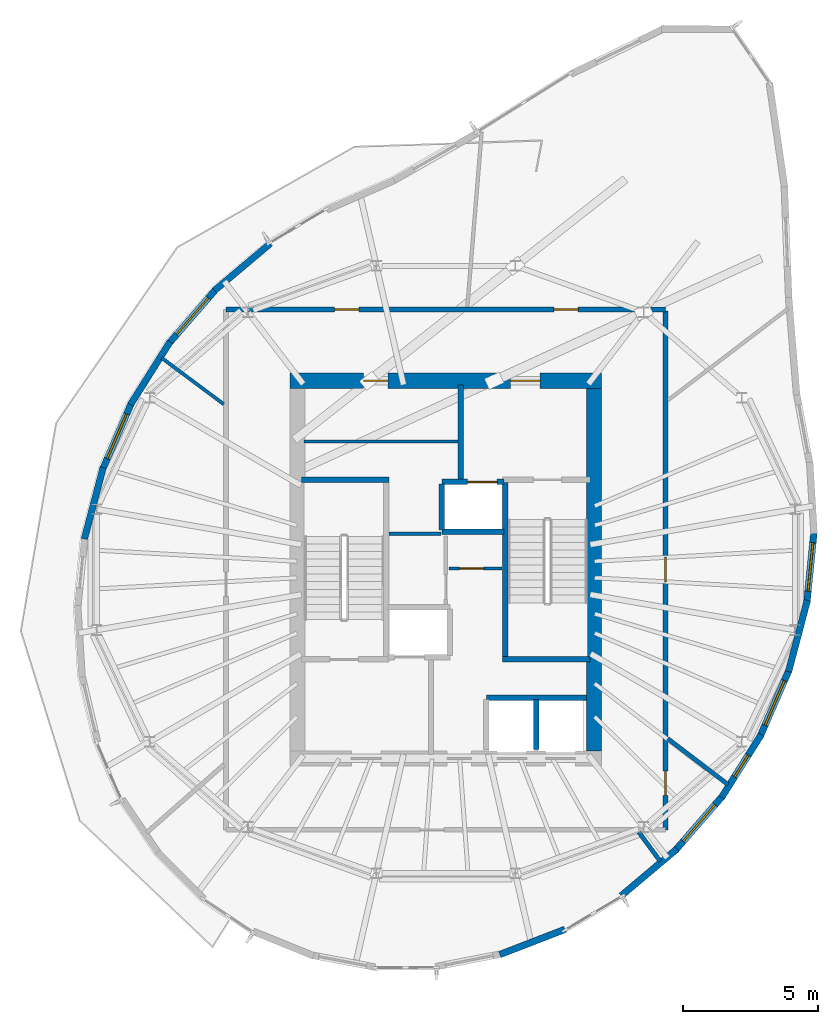
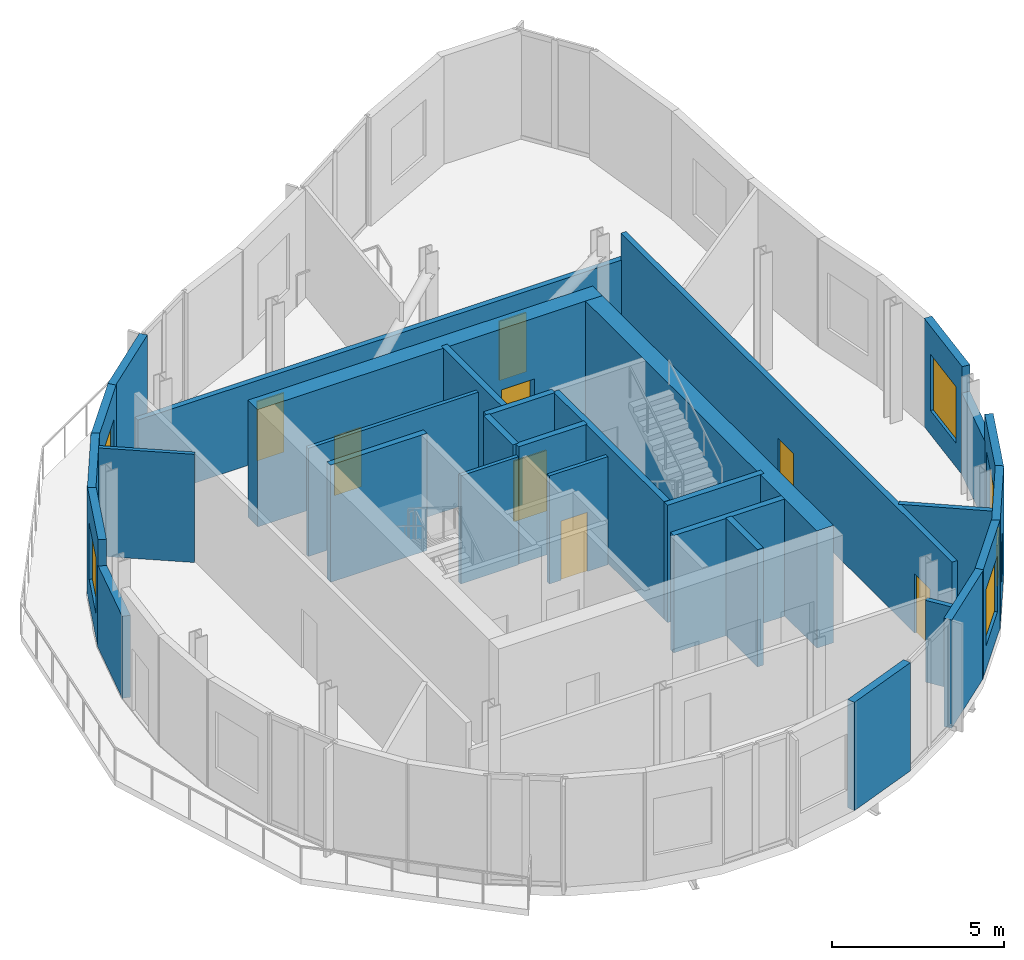
# One storey, part 5 of 8: 31 walls, 8 doors, 6 windows, 14 openings.
"""IFC4 building model written with IfcOpenShell, lengths in metres."""

from ifc_helpers import new_model, si_unit, direction, frame, frame_2d, origin, place, context, subcontext, project, spatial, rectangle, extrude, material, layer, layer_set, type_object, element, fill, save


model = new_model("IFC4")

# Units and contexts
model_context = context("Model", 3, precision=1e-05, world=origin(), true_north=direction((0.0, 1.0)))
body_context = subcontext(model_context, "Body", "Model", "MODEL_VIEW")
ifc_project = project(units=[si_unit("LENGTHUNIT", "METRE"), si_unit("AREAUNIT", "SQUARE_METRE"), si_unit("VOLUMEUNIT", "CUBIC_METRE"), si_unit("PLANEANGLEUNIT", "RADIAN"), si_unit("MASSUNIT", "GRAM", prefix="KILO")], contexts=[model_context])

# Site, building, storey
site_placement = place(None, origin())
site = spatial("IfcSite", under=ifc_project, at=site_placement, CompositionType="ELEMENT")
building_placement = place(site_placement, origin())
building = spatial("IfcBuilding", under=site, at=building_placement, Name="Veldorim Arch Residences", CompositionType="ELEMENT")
storey_placement = place(building_placement, frame((0.0, 0.0, 246.8798828125)))
storey = spatial("IfcBuildingStorey", under=building, at=storey_placement, Name="L74", CompositionType="ELEMENT", Elevation=246.8798828125)

# Wall
ifc_material_1 = material(Name="Acoustic Gypsum Board", Category="gypsum")
ifc_layer_1 = layer(ifc_material_1, 0.125, Name="Acoustic Stud Room Partition Wall 125")
ifc_layer_set_1 = layer_set([ifc_layer_1], Name="Acoustic Gypsum Board")
wall_type_1 = type_object("IfcWallType", Name="Acoustic Stud Room Partition Wall 125", PredefinedType="PARTITIONING", material=ifc_layer_set_1)
wall_1_placement = place(storey_placement, frame((26.75, 28.75, 0.0), z_axis=(0.0, 0.0, 1.0), x_axis=(1.0, 0.0, 0.0)))
element("IfcWall", 1, at=wall_1_placement, inside=storey, type_object=wall_type_1, Name="L74 interior wall WL-RB3-L74-S", PredefinedType="PARTITIONING", context=body_context, shape_type="SweptSolid", body=[
    extrude(rectangle(XDim=5.75, YDim=0.125, at=frame_2d((2.875, 0.0))), origin(), (0.0, 0.0, 1.0), 3.835205078125),
])

# Wall, opening, door
wall_2_placement = place(storey_placement, frame((32.110107421875, 24.0400390625, 0.0), z_axis=(0.0, 0.0, 1.0), x_axis=(1.0, 0.0, 0.0)))
wall_2 = element("IfcWall", 2, at=wall_2_placement, inside=storey, type_object=wall_type_1, Name="L74 interior wall WL-CA-L74-3", PredefinedType="PARTITIONING", context=body_context, shape_type="SweptSolid", body=[
    extrude(rectangle(XDim=1.969970703125, YDim=0.125, at=frame_2d((0.98486328125, 0.0))), origin(), (0.0, 0.0, 1.0), 3.835205078125),
])
opening_1_placement = place(wall_2_placement, frame((0.389892578125, 0.0, 0.0)))
opening_1 = element("IfcOpeningElement", 3, at=opening_1_placement, cuts=wall_2, Name="Opening DR-INT", PredefinedType="OPENING", context=body_context, shape_type="SweptSolid", body=[
    extrude(rectangle(XDim=0.89990234375, YDim=2.10009765625, at=frame_2d((0.449951171875, 1.050048828125))), frame((0.0, 0.072509765625, 0.0), z_axis=(0.0, -1.0, 0.0), x_axis=(1.0, 0.0, 0.0)), (0.0, 0.0, 1.0), 0.14501953125),
])
ifc_material_2 = material(Name="Engineered Timber", Category="wood")
door_type_1 = type_object("IfcDoorType", Name="Apartment Internal Room Timber Door 900x2100", OperationType="SINGLE_SWING_LEFT", PredefinedType="DOOR", material=ifc_material_2)
door_1_placement = place(opening_1_placement, origin())
door_1 = element("IfcDoor", 4, at=door_1_placement, inside=storey, type_object=door_type_1, Name="L74 interior door DR-L74-CA1", OperationType="SINGLE_SWING_LEFT", OverallHeight=2.10009765625, OverallWidth=0.89990234375, PredefinedType="DOOR", context=body_context, shape_type="SweptSolid", body=[
    extrude(rectangle(XDim=0.89990234375, YDim=2.10009765625, at=frame_2d((0.449951171875, 1.050048828125))), frame((0.0, 0.02490234375, 0.0), z_axis=(0.0, -1.0, 0.0), x_axis=(1.0, 0.0, 0.0)), (0.0, 0.0, 1.0), 0.050048828125),
])
fill(opening_1, door_1)

# Walls
wall_3_placement = place(storey_placement, frame((29.889892578125, 25.330078125, 0.0), z_axis=(0.0, 0.0, 1.0), x_axis=(1.0, 0.0, 0.0)))
element("IfcWall", 5, at=wall_3_placement, inside=storey, type_object=wall_type_1, Name="L74 interior wall WL-CA-L74-N", PredefinedType="PARTITIONING", context=body_context, shape_type="SweptSolid", body=[
    extrude(rectangle(XDim=1.940185546875, YDim=0.125, at=frame_2d((0.97021484375, 0.0))), origin(), (0.0, 0.0, 1.0), 3.835205078125),
])
wall_4_placement = place(storey_placement, frame((23.769775390625, 30.130126953125, 0.0), z_axis=(0.0, 0.0, 1.0), x_axis=(-0.801989535219, 0.597338082997, 0.0)))
element("IfcWall", 6, at=wall_4_placement, inside=storey, type_object=wall_type_1, Name="L74 interior wall WL-SKY-L74-007", PredefinedType="PARTITIONING", context=body_context, shape_type="SweptSolid", body=[
    extrude(rectangle(XDim=2.8798828125, YDim=0.125, at=frame_2d((1.43994140625, 0.0))), origin(), (0.0, 0.0, 1.0), 3.835205078125),
])

# Wall, openings, doors
ifc_material_3 = material(Name="Lightweight Masonry Block & Gypsum", Category="masonry")
ifc_layer_2 = layer(ifc_material_3, 0.179931640625, Name="Compartment & Corridor Fire-Rated Party Wall 180")
ifc_layer_set_2 = layer_set([ifc_layer_2], Name="Lightweight Masonry Block & Gypsum")
wall_type_2 = type_object("IfcWallType", Name="Compartment & Corridor Fire-Rated Party Wall 180", PredefinedType="PARTITIONING", material=ifc_layer_set_2)
wall_5_placement = place(storey_placement, frame((23.85009765625, 33.64990234375, 0.0), z_axis=(0.0, 0.0, 1.0), x_axis=(1.0, 0.0, 0.0)))
wall_5 = element("IfcWall", 7, at=wall_5_placement, inside=storey, type_object=wall_type_2, Name="L74 interior wall WL-SKY-L74-001", PredefinedType="PARTITIONING", context=body_context, shape_type="SweptSolid", body=[
    extrude(rectangle(XDim=16.2998046875, YDim=0.179931640625, at=frame_2d((8.14990234375, 0.0))), origin(), (0.0, 0.0, 1.0), 2.899658203125),
])
opening_2_placement = place(wall_5_placement, frame((12.159912109375, 0.0, 0.0)))
opening_2 = element("IfcOpeningElement", 8, at=opening_2_placement, cuts=wall_5, Name="Opening DR-INT", PredefinedType="OPENING", context=body_context, shape_type="SweptSolid", body=[
    extrude(rectangle(XDim=0.89990234375, YDim=2.10009765625, at=frame_2d((0.449951171875, 1.050048828125))), frame((0.0, 0.099853515625, 0.0), z_axis=(0.0, -1.0, 0.0), x_axis=(1.0, 0.0, 0.0)), (0.0, 0.0, 1.0), 0.199951171875),
])
opening_3_placement = place(wall_5_placement, frame((4.030029296875, 0.0, 0.0)))
opening_3 = element("IfcOpeningElement", 9, at=opening_3_placement, cuts=wall_5, Name="Opening DR-INT", PredefinedType="OPENING", context=body_context, shape_type="SweptSolid", body=[
    extrude(rectangle(XDim=0.89990234375, YDim=2.10009765625, at=frame_2d((0.449951171875, 1.050048828125))), frame((0.0, 0.099853515625, 0.0), z_axis=(0.0, -1.0, 0.0), x_axis=(1.0, 0.0, 0.0)), (0.0, 0.0, 1.0), 0.199951171875),
])
door_2_placement = place(opening_2_placement, origin())
door_2 = element("IfcDoor", 10, at=door_2_placement, inside=storey, type_object=door_type_1, Name="L74 interior door DR-SKY-L74-001", OperationType="SINGLE_SWING_LEFT", OverallHeight=2.10009765625, OverallWidth=0.89990234375, PredefinedType="DOOR", context=body_context, shape_type="SweptSolid", body=[
    extrude(rectangle(XDim=0.89990234375, YDim=2.10009765625, at=frame_2d((0.449951171875, 1.050048828125))), frame((0.0, 0.02490234375, 0.0), z_axis=(0.0, -1.0, 0.0), x_axis=(1.0, 0.0, 0.0)), (0.0, 0.0, 1.0), 0.050048828125),
])
fill(opening_2, door_2)
door_3_placement = place(opening_3_placement, origin())
door_3 = element("IfcDoor", 11, at=door_3_placement, inside=storey, type_object=door_type_1, Name="L74 interior door DR-SKY-L74-002", OperationType="SINGLE_SWING_RIGHT", OverallHeight=2.10009765625, OverallWidth=0.89990234375, PredefinedType="DOOR", context=body_context, shape_type="SweptSolid", body=[
    extrude(rectangle(XDim=0.89990234375, YDim=2.10009765625, at=frame_2d((0.449951171875, 1.050048828125))), frame((0.0, 0.02490234375, 0.0), z_axis=(0.0, -1.0, 0.0), x_axis=(1.0, 0.0, 0.0)), (0.0, 0.0, 1.0), 0.050048828125),
])
fill(opening_3, door_3)

wall_6_placement = place(storey_placement, frame((40.14990234375, 33.590087890625, 0.0), z_axis=(0.0, 0.0, 1.0), x_axis=(0.0, -1.0, 0.0)))
wall_6 = element("IfcWall", 12, at=wall_6_placement, inside=storey, type_object=wall_type_2, Name="L74 interior wall WL-SKY-L74-002", PredefinedType="PARTITIONING", context=body_context, shape_type="SweptSolid", body=[
    extrude(rectangle(XDim=19.239990234375, YDim=0.179931640625, at=frame_2d((9.6201171875, 0.0))), origin(), (0.0, 0.0, 1.0), 3.835205078125),
])
opening_4_placement = place(wall_6_placement, frame((9.1376953125, 0.0, 0.0)))
opening_4 = element("IfcOpeningElement", 13, at=opening_4_placement, cuts=wall_6, Name="Opening DR-INT", PredefinedType="OPENING", context=body_context, shape_type="SweptSolid", body=[
    extrude(rectangle(XDim=0.89990234375, YDim=2.10009765625, at=frame_2d((0.449951171875, 1.050048828125))), frame((0.0, 0.099853515625, 0.0), z_axis=(0.0, -1.0, 0.0), x_axis=(1.0, 0.0, 0.0)), (0.0, 0.0, 1.0), 0.199951171875),
])
opening_5_placement = place(wall_6_placement, frame((17.059326171875, 0.0, 0.0)))
opening_5 = element("IfcOpeningElement", 14, at=opening_5_placement, cuts=wall_6, Name="Opening DR-WC", PredefinedType="OPENING", context=body_context, shape_type="SweptSolid", body=[
    extrude(rectangle(XDim=0.89990234375, YDim=2.10009765625, at=frame_2d((0.449951171875, 1.050048828125))), frame((0.0, 0.099853515625, 0.0), z_axis=(0.0, -1.0, 0.0), x_axis=(1.0, 0.0, 0.0)), (0.0, 0.0, 1.0), 0.199951171875),
])
door_4_placement = place(opening_4_placement, origin())
door_4 = element("IfcDoor", 15, at=door_4_placement, inside=storey, type_object=door_type_1, Name="L74 interior door DR-SKY-L74-005", OperationType="SINGLE_SWING_LEFT", OverallHeight=2.10009765625, OverallWidth=0.89990234375, PredefinedType="DOOR", context=body_context, shape_type="SweptSolid", body=[
    extrude(rectangle(XDim=0.89990234375, YDim=2.10009765625, at=frame_2d((0.449951171875, 1.050048828125))), frame((0.0, 0.02490234375, 0.0), z_axis=(0.0, -1.0, 0.0), x_axis=(1.0, 0.0, 0.0)), (0.0, 0.0, 1.0), 0.050048828125),
])
fill(opening_4, door_4)
ifc_material_4 = material(Name="Laminate Timber", Category="wood")
door_type_2 = type_object("IfcDoorType", Name="Bathroom & Accessible WC Moisture-Sealed Door 900x2100", OperationType="SINGLE_SWING_LEFT", PredefinedType="DOOR", material=ifc_material_4)
door_5_placement = place(opening_5_placement, origin())
door_5 = element("IfcDoor", 16, at=door_5_placement, inside=storey, type_object=door_type_2, Name="L74 interior door DR-SKY-L74-006", OperationType="SINGLE_SWING_RIGHT", OverallHeight=2.10009765625, OverallWidth=0.89990234375, PredefinedType="DOOR", context=body_context, shape_type="SweptSolid", body=[
    extrude(rectangle(XDim=0.89990234375, YDim=2.10009765625, at=frame_2d((0.449951171875, 1.050048828125))), frame((0.0, 0.02490234375, 0.0), z_axis=(0.0, -1.0, 0.0), x_axis=(1.0, 0.0, 0.0)), (0.0, 0.0, 1.0), 0.050048828125),
])
fill(opening_5, door_5)

# Walls
ifc_material_5 = material(Name="Concrete C50/60", Category="concrete")
ifc_layer_3 = layer(ifc_material_5, 0.199951171875, Name="Core Stair & Lift Shaft Enclosure Wall 200")
ifc_layer_set_3 = layer_set([ifc_layer_3], Name="Concrete C50/60")
wall_type_3 = type_object("IfcWallType", Name="Core Stair & Lift Shaft Enclosure Wall 200", PredefinedType="SHEAR", material=ifc_layer_set_3)
wall_7_placement = place(storey_placement, frame((26.64990234375, 27.330078125, 0.0), z_axis=(0.0, 0.0, 1.0), x_axis=(1.0, 0.0, 0.0)))
element("IfcWall", 17, at=wall_7_placement, inside=storey, type_object=wall_type_3, Name="L74 shaft wall WL-SHF-L74-ST1-N", PredefinedType="SHEAR", context=body_context, shape_type="SweptSolid", body=[
    extrude(rectangle(XDim=3.239990234375, YDim=0.199951171875, at=frame_2d((1.6201171875, 0.0))), origin(), (0.0, 0.0, 1.0), 4.16015625),
])
wall_8_placement = place(storey_placement, frame((34.2099609375, 20.780029296875, 0.0), z_axis=(0.0, 0.0, 1.0), x_axis=(0.0, 1.0, 0.0)))
element("IfcWall", 18, at=wall_8_placement, inside=storey, type_object=wall_type_3, Name="L74 shaft wall WL-SHF-L74-ST2-W", PredefinedType="SHEAR", context=body_context, shape_type="SweptSolid", body=[
    extrude(rectangle(XDim=6.43994140625, YDim=0.199951171875, at=frame_2d((3.219970703125, 0.0))), origin(), (0.0, 0.0, 1.0), 4.16015625),
])
wall_9_placement = place(storey_placement, frame((34.110107421875, 20.669921875, 0.0), z_axis=(0.0, 0.0, 1.0), x_axis=(1.0, 0.0, 0.0)))
element("IfcWall", 19, at=wall_9_placement, inside=storey, type_object=wall_type_3, Name="L74 shaft wall WL-SHF-L74-ST2-S", PredefinedType="SHEAR", context=body_context, shape_type="SweptSolid", body=[
    extrude(rectangle(XDim=3.239990234375, YDim=0.199951171875, at=frame_2d((1.6201171875, 0.0))), origin(), (0.0, 0.0, 1.0), 4.16015625),
])
wall_10_placement = place(storey_placement, frame((32.550048828125, 27.35009765625, 0.0), z_axis=(0.0, 0.0, 1.0), x_axis=(0.0, 1.0, 0.0)))
element("IfcWall", 20, at=wall_10_placement, inside=storey, type_object=wall_type_3, Name="L74 shaft wall WL-FFL2-L74-W", PredefinedType="SHEAR", context=body_context, shape_type="SweptSolid", body=[
    extrude(rectangle(XDim=3.5, YDim=0.199951171875, at=frame_2d((1.75, 0.0))), origin(), (0.0, 0.0, 1.0), 4.16015625),
])

# Wall, opening, door
wall_11_placement = place(storey_placement, frame((31.85009765625, 27.25, 0.0), z_axis=(0.0, 0.0, 1.0), x_axis=(1.0, 0.0, 0.0)))
wall_11 = element("IfcWall", 21, at=wall_11_placement, inside=storey, type_object=wall_type_3, Name="L74 shaft wall WL-FL02-L74-N", PredefinedType="SHEAR", context=body_context, shape_type="SweptSolid", body=[
    extrude(rectangle(XDim=2.2998046875, YDim=0.199951171875, at=frame_2d((1.14990234375, 0.0))), origin(), (0.0, 0.0, 1.0), 4.16015625),
])
opening_6_placement = place(wall_11_placement, frame((0.949951171875, 0.0, 0.0)))
opening_6 = element("IfcOpeningElement", 22, at=opening_6_placement, cuts=wall_11, Name="Opening LD-FF", PredefinedType="OPENING", context=body_context, shape_type="SweptSolid", body=[
    extrude(rectangle(XDim=1.10009765625, YDim=2.14990234375, at=frame_2d((0.550048828125, 1.074951171875))), frame((0.0, 0.10986328125, 0.0), z_axis=(0.0, -1.0, 0.0), x_axis=(1.0, 0.0, 0.0)), (0.0, 0.0, 1.0), 0.219970703125),
])
ifc_material_6 = material(Name="Stainless Steel", Category="steel")
door_type_3 = type_object("IfcDoorType", Name="Firefighting Lift Bi-Parting Sliding Landing Door 1100x2150", OperationType="DOUBLE_DOOR_SLIDING", PredefinedType="DOOR", material=ifc_material_6)
door_6_placement = place(opening_6_placement, origin())
door_6 = element("IfcDoor", 23, at=door_6_placement, inside=storey, type_object=door_type_3, Name="L74 lift landing door LD-L74-FL02", OperationType="DOUBLE_DOOR_SLIDING", OverallHeight=2.14990234375, OverallWidth=1.10009765625, PredefinedType="DOOR", context=body_context, shape_type="SweptSolid", body=[
    extrude(rectangle(XDim=1.10009765625, YDim=2.14990234375, at=frame_2d((0.550048828125, 1.074951171875))), frame((0.0, 0.02490234375, 0.0), z_axis=(0.0, -1.0, 0.0), x_axis=(1.0, 0.0, 0.0)), (0.0, 0.0, 1.0), 0.050048828125),
])
fill(opening_6, door_6)

# Walls
wall_12_placement = place(storey_placement, frame((31.85009765625, 25.39990234375, 0.0), z_axis=(0.0, 0.0, 1.0), x_axis=(1.0, 0.0, 0.0)))
element("IfcWall", 24, at=wall_12_placement, inside=storey, type_object=wall_type_3, Name="L74 shaft wall WL-FL02-L74-S", PredefinedType="SHEAR", context=body_context, shape_type="SweptSolid", body=[
    extrude(rectangle(XDim=2.2998046875, YDim=0.199951171875, at=frame_2d((1.14990234375, 0.0))), origin(), (0.0, 0.0, 1.0), 4.16015625),
])
wall_13_placement = place(storey_placement, frame((31.85009765625, 25.469970703125, 0.0), z_axis=(0.0, 0.0, 1.0), x_axis=(0.0, 1.0, 0.0)))
element("IfcWall", 25, at=wall_13_placement, inside=storey, type_object=wall_type_3, Name="L74 shaft wall WL-FL02-L74-W", PredefinedType="SHEAR", context=body_context, shape_type="SweptSolid", body=[
    extrude(rectangle(XDim=1.7099609375, YDim=0.199951171875, at=frame_2d((0.85498046875, 0.0))), origin(), (0.0, 0.0, 1.0), 4.16015625),
])
wall_14_placement = place(storey_placement, frame((33.5, 19.25, 0.0), z_axis=(0.0, 0.0, 1.0), x_axis=(1.0, 0.0, 0.0)))
element("IfcWall", 26, at=wall_14_placement, inside=storey, type_object=wall_type_3, Name="L74 shaft wall WL-OL-L74-N", PredefinedType="SHEAR", context=body_context, shape_type="SweptSolid", body=[
    extrude(rectangle(XDim=3.719970703125, YDim=0.199951171875, at=frame_2d((1.85986328125, 0.0))), origin(), (0.0, 0.0, 1.0), 4.16015625),
])
wall_15_placement = place(storey_placement, frame((35.35009765625, 17.320068359375, 0.0), z_axis=(0.0, 0.0, 1.0), x_axis=(0.0, 1.0, 0.0)))
element("IfcWall", 27, at=wall_15_placement, inside=storey, type_object=wall_type_3, Name="L74 shaft wall WL-OL-L74-D1", PredefinedType="SHEAR", context=body_context, shape_type="SweptSolid", body=[
    extrude(rectangle(XDim=1.85986328125, YDim=0.199951171875, at=frame_2d((0.929931640625, 0.0))), origin(), (0.0, 0.0, 1.0), 4.16015625),
])
ifc_material_7 = material(Name="Precast concrete C40/50", Category="concrete")
ifc_layer_4 = layer(ifc_material_7, 0.25, Name="Tower Terracotta Spandrel & Pier Wall 250")
ifc_layer_set_4 = layer_set([ifc_layer_4], Name="Precast concrete C40/50")
wall_type_4 = type_object("IfcWallType", Name="Tower Terracotta Spandrel & Pier Wall 250", PredefinedType="SOLIDWALL", material=ifc_layer_set_4)
wall_16_placement = place(storey_placement, frame((23.425048828125, 34.35400390625, 0.0), z_axis=(0.0, 0.0, 1.0), x_axis=(0.765011949935, 0.644016084005, 0.0)))
element("IfcWall", 28, at=wall_16_placement, inside=storey, type_object=wall_type_4, Name="L74 terracotta facade wall 07", PredefinedType="SOLIDWALL", context=body_context, shape_type="SweptSolid", body=[
    extrude(rectangle(XDim=2.70166015625, YDim=0.25, at=frame_2d((1.350830078125, 0.0))), origin(), (0.0, 0.0, 1.0), 3.840087890625),
])

# Wall, opening, window
wall_17_placement = place(storey_placement, frame((21.7080078125, 32.362548828125, 0.0), z_axis=(0.0, 0.0, 1.0), x_axis=(0.655463265554, 0.755227056924, 0.0)))
wall_17 = element("IfcWall", 29, at=wall_17_placement, inside=storey, type_object=wall_type_4, Name="L74 terracotta facade wall 08", PredefinedType="SOLIDWALL", context=body_context, shape_type="SweptSolid", body=[
    extrude(rectangle(XDim=2.73828125, YDim=0.25, at=frame_2d((1.369140625, 0.0))), origin(), (0.0, 0.0, 1.0), 3.840087890625),
])
opening_7_placement = place(wall_17_placement, frame((0.468994140625, 0.0, 0.85009765625)))
opening_7 = element("IfcOpeningElement", 30, at=opening_7_placement, cuts=wall_17, Name="Opening WN-04", PredefinedType="OPENING", context=body_context, shape_type="SweptSolid", body=[
    extrude(rectangle(XDim=1.800048828125, YDim=2.0, at=frame_2d((0.89990234375, 1.0))), frame((0.0, 0.135009765625, 0.0), z_axis=(0.0, -1.0, 0.0), x_axis=(1.0, 0.0, 0.0)), (0.0, 0.0, 1.0), 0.27001953125),
])
ifc_material_8 = material(Name="Laminated Low-E Glass", Category="glass")
window_type_1 = type_object("IfcWindowType", Name="Sky Lounge Tall Picture Window 1800x1370", PartitioningType="SINGLE_PANEL", PredefinedType="WINDOW", material=ifc_material_8)
window_1_placement = place(opening_7_placement, origin())
window_1 = element("IfcWindow", 31, at=window_1_placement, inside=storey, type_object=window_type_1, Name="L74 solar-control facade window 08", OverallHeight=2.0, OverallWidth=1.800048828125, PartitioningType="SINGLE_PANEL", PredefinedType="WINDOW", context=body_context, shape_type="SweptSolid", body=[
    extrude(rectangle(XDim=1.800048828125, YDim=2.0, at=frame_2d((0.89990234375, 1.0))), frame((0.0, 0.030029296875, 0.0), z_axis=(0.0, -1.0, 0.0), x_axis=(1.0, 0.0, 0.0)), (0.0, 0.0, 1.0), 0.06005859375),
])
fill(opening_7, window_1)

# Wall
wall_18_placement = place(storey_placement, frame((20.303466796875, 30.11572265625, 0.0), z_axis=(0.0, 0.0, 1.0), x_axis=(0.532693532032, 0.846308218636, 0.0)))
element("IfcWall", 32, at=wall_18_placement, inside=storey, type_object=wall_type_4, Name="L74 terracotta facade wall 09", PredefinedType="SOLIDWALL", context=body_context, shape_type="SweptSolid", body=[
    extrude(rectangle(XDim=2.758056640625, YDim=0.25, at=frame_2d((1.37890625, 0.0))), origin(), (0.0, 0.0, 1.0), 3.840087890625),
])

# Wall, opening, window
wall_19_placement = place(storey_placement, frame((19.2548828125, 27.6826171875, 0.0), z_axis=(0.0, 0.0, 1.0), x_axis=(0.398625762511, 0.917113679683, 0.0)))
wall_19 = element("IfcWall", 33, at=wall_19_placement, inside=storey, type_object=wall_type_4, Name="L74 terracotta facade wall 10", PredefinedType="SOLIDWALL", context=body_context, shape_type="SweptSolid", body=[
    extrude(rectangle(XDim=2.7578125, YDim=0.25, at=frame_2d((1.37890625, 0.0))), origin(), (0.0, 0.0, 1.0), 3.840087890625),
])
opening_8_placement = place(wall_19_placement, frame((0.47900390625, 0.0, 0.85009765625)))
opening_8 = element("IfcOpeningElement", 34, at=opening_8_placement, cuts=wall_19, Name="Opening WN-04", PredefinedType="OPENING", context=body_context, shape_type="SweptSolid", body=[
    extrude(rectangle(XDim=1.800048828125, YDim=2.0, at=frame_2d((0.89990234375, 1.0))), frame((0.0, 0.135009765625, 0.0), z_axis=(0.0, -1.0, 0.0), x_axis=(1.0, 0.0, 0.0)), (0.0, 0.0, 1.0), 0.27001953125),
])
window_2_placement = place(opening_8_placement, origin())
window_2 = element("IfcWindow", 35, at=window_2_placement, inside=storey, type_object=window_type_1, Name="L74 solar-control facade window 10", OverallHeight=2.0, OverallWidth=1.800048828125, PartitioningType="SINGLE_PANEL", PredefinedType="WINDOW", context=body_context, shape_type="SweptSolid", body=[
    extrude(rectangle(XDim=1.800048828125, YDim=2.0, at=frame_2d((0.89990234375, 1.0))), frame((0.0, 0.030029296875, 0.0), z_axis=(0.0, -1.0, 0.0), x_axis=(1.0, 0.0, 0.0)), (0.0, 0.0, 1.0), 0.06005859375),
])
fill(opening_8, window_2)

# Walls
wall_20_placement = place(storey_placement, frame((18.594482421875, 25.13671875, 0.0), z_axis=(0.0, 0.0, 1.0), x_axis=(0.254159789005, 0.967162241639, 0.0)))
element("IfcWall", 36, at=wall_20_placement, inside=storey, type_object=wall_type_4, Name="L74 terracotta facade wall 11", PredefinedType="SOLIDWALL", context=body_context, shape_type="SweptSolid", body=[
    extrude(rectangle(XDim=2.738525390625, YDim=0.25, at=frame_2d((1.369140625, 0.0))), origin(), (0.0, 0.0, 1.0), 2.90673828125),
])
wall_21_placement = place(storey_placement, frame((36.4208984375, 10.659912109375, 0.0), z_axis=(0.0, 0.0, 1.0), x_axis=(-0.932613090392, -0.360877851397, 0.0)))
element("IfcWall", 37, at=wall_21_placement, inside=storey, type_object=wall_type_4, Name="L74 terracotta facade wall 23", PredefinedType="SOLIDWALL", context=body_context, shape_type="SweptSolid", body=[
    extrude(rectangle(XDim=2.592529296875, YDim=0.25, at=frame_2d((1.29638671875, 0.0))), origin(), (0.0, 0.0, 1.0), 3.840087890625),
])
wall_22_placement = place(storey_placement, frame((40.574951171875, 13.64599609375, 0.0), z_axis=(0.0, 0.0, 1.0), x_axis=(-0.765011949935, -0.644016084005, 0.0)))
element("IfcWall", 38, at=wall_22_placement, inside=storey, type_object=wall_type_4, Name="L74 terracotta facade wall 25", PredefinedType="SOLIDWALL", context=body_context, shape_type="SweptSolid", body=[
    extrude(rectangle(XDim=2.70166015625, YDim=0.25, at=frame_2d((1.350830078125, 0.0))), origin(), (0.0, 0.0, 1.0), 3.840087890625),
])

# Wall, opening, window
wall_23_placement = place(storey_placement, frame((42.2919921875, 15.637451171875, 0.0), z_axis=(0.0, 0.0, 1.0), x_axis=(-0.655463265554, -0.755227056924, 0.0)))
wall_23 = element("IfcWall", 39, at=wall_23_placement, inside=storey, type_object=wall_type_4, Name="L74 terracotta facade wall 26", PredefinedType="SOLIDWALL", context=body_context, shape_type="SweptSolid", body=[
    extrude(rectangle(XDim=2.73828125, YDim=0.25, at=frame_2d((1.369140625, 0.0))), origin(), (0.0, 0.0, 1.0), 3.840087890625),
])
opening_9_placement = place(wall_23_placement, frame((0.468994140625, 0.0, 0.85009765625)))
opening_9 = element("IfcOpeningElement", 40, at=opening_9_placement, cuts=wall_23, Name="Opening WN-04", PredefinedType="OPENING", context=body_context, shape_type="SweptSolid", body=[
    extrude(rectangle(XDim=1.800048828125, YDim=2.0, at=frame_2d((0.89990234375, 1.0))), frame((0.0, 0.135009765625, 0.0), z_axis=(0.0, -1.0, 0.0), x_axis=(1.0, 0.0, 0.0)), (0.0, 0.0, 1.0), 0.27001953125),
])
window_3_placement = place(opening_9_placement, origin())
window_3 = element("IfcWindow", 41, at=window_3_placement, inside=storey, type_object=window_type_1, Name="L74 solar-control facade window 26", OverallHeight=2.0, OverallWidth=1.800048828125, PartitioningType="SINGLE_PANEL", PredefinedType="WINDOW", context=body_context, shape_type="SweptSolid", body=[
    extrude(rectangle(XDim=1.800048828125, YDim=2.0, at=frame_2d((0.89990234375, 1.0))), frame((0.0, 0.030029296875, 0.0), z_axis=(0.0, -1.0, 0.0), x_axis=(1.0, 0.0, 0.0)), (0.0, 0.0, 1.0), 0.06005859375),
])
fill(opening_9, window_3)

wall_24_placement = place(storey_placement, frame((43.696533203125, 17.88427734375, 0.0), z_axis=(0.0, 0.0, 1.0), x_axis=(-0.532693532032, -0.846308218636, 0.0)))
wall_24 = element("IfcWall", 42, at=wall_24_placement, inside=storey, type_object=wall_type_4, Name="L74 terracotta facade wall 27", PredefinedType="SOLIDWALL", context=body_context, shape_type="SweptSolid", body=[
    extrude(rectangle(XDim=2.758056640625, YDim=0.25, at=frame_2d((1.37890625, 0.0))), origin(), (0.0, 0.0, 1.0), 3.840087890625),
])
opening_10_placement = place(wall_24_placement, frame((0.904052734375, 0.0, 0.85009765625)))
opening_10 = element("IfcOpeningElement", 43, at=opening_10_placement, cuts=wall_24, Name="Opening WN-05", PredefinedType="OPENING", context=body_context, shape_type="SweptSolid", body=[
    extrude(rectangle(XDim=0.949951171875, YDim=1.449951171875, at=frame_2d((0.47509765625, 0.72509765625))), frame((0.0, 0.135009765625, 0.0), z_axis=(0.0, -1.0, 0.0), x_axis=(1.0, 0.0, 0.0)), (0.0, 0.0, 1.0), 0.27001953125),
])
ifc_material_9 = material(Name="Laminated Low-E Glass", Category="glass")
window_type_2 = type_object("IfcWindowType", Name="Residential Compact Casement Window 950x1450", PartitioningType="SINGLE_PANEL", PredefinedType="WINDOW", material=ifc_material_9)
window_4_placement = place(opening_10_placement, origin())
window_4 = element("IfcWindow", 44, at=window_4_placement, inside=storey, type_object=window_type_2, Name="L74 solar-control facade window 27", OverallHeight=1.449951171875, OverallWidth=0.949951171875, PartitioningType="SINGLE_PANEL", PredefinedType="WINDOW", context=body_context, shape_type="SweptSolid", body=[
    extrude(rectangle(XDim=0.949951171875, YDim=1.449951171875, at=frame_2d((0.47509765625, 0.72509765625))), frame((0.0, 0.030029296875, 0.0), z_axis=(0.0, -1.0, 0.0), x_axis=(1.0, 0.0, 0.0)), (0.0, 0.0, 1.0), 0.06005859375),
])
fill(opening_10, window_4)

wall_25_placement = place(storey_placement, frame((44.7451171875, 20.3173828125, 0.0), z_axis=(0.0, 0.0, 1.0), x_axis=(-0.398625762511, -0.917113679683, 0.0)))
wall_25 = element("IfcWall", 45, at=wall_25_placement, inside=storey, type_object=wall_type_4, Name="L74 terracotta facade wall 28", PredefinedType="SOLIDWALL", context=body_context, shape_type="SweptSolid", body=[
    extrude(rectangle(XDim=2.7578125, YDim=0.25, at=frame_2d((1.37890625, 0.0))), origin(), (0.0, 0.0, 1.0), 3.840087890625),
])
opening_11_placement = place(wall_25_placement, frame((0.47900390625, 0.0, 0.85009765625)))
opening_11 = element("IfcOpeningElement", 46, at=opening_11_placement, cuts=wall_25, Name="Opening WN-04", PredefinedType="OPENING", context=body_context, shape_type="SweptSolid", body=[
    extrude(rectangle(XDim=1.800048828125, YDim=2.0, at=frame_2d((0.89990234375, 1.0))), frame((0.0, 0.135009765625, 0.0), z_axis=(0.0, -1.0, 0.0), x_axis=(1.0, 0.0, 0.0)), (0.0, 0.0, 1.0), 0.27001953125),
])
window_5_placement = place(opening_11_placement, origin())
window_5 = element("IfcWindow", 47, at=window_5_placement, inside=storey, type_object=window_type_1, Name="L74 solar-control facade window 28", OverallHeight=2.0, OverallWidth=1.800048828125, PartitioningType="SINGLE_PANEL", PredefinedType="WINDOW", context=body_context, shape_type="SweptSolid", body=[
    extrude(rectangle(XDim=1.800048828125, YDim=2.0, at=frame_2d((0.89990234375, 1.0))), frame((0.0, 0.030029296875, 0.0), z_axis=(0.0, -1.0, 0.0), x_axis=(1.0, 0.0, 0.0)), (0.0, 0.0, 1.0), 0.06005859375),
])
fill(opening_11, window_5)

# Wall
wall_26_placement = place(storey_placement, frame((45.405517578125, 22.86328125, 0.0), z_axis=(0.0, 0.0, 1.0), x_axis=(-0.254159789005, -0.967162241639, 0.0)))
element("IfcWall", 48, at=wall_26_placement, inside=storey, type_object=wall_type_4, Name="L74 terracotta facade wall 29", PredefinedType="SOLIDWALL", context=body_context, shape_type="SweptSolid", body=[
    extrude(rectangle(XDim=2.738525390625, YDim=0.25, at=frame_2d((1.369140625, 0.0))), origin(), (0.0, 0.0, 1.0), 2.90673828125),
])

# Wall, opening, window
wall_27_placement = place(storey_placement, frame((45.65771484375, 25.443603515625, 0.0), z_axis=(0.0, 0.0, 1.0), x_axis=(-0.100577316095, -0.994929245468, 0.0)))
wall_27 = element("IfcWall", 49, at=wall_27_placement, inside=storey, type_object=wall_type_4, Name="L74 terracotta facade wall 30", PredefinedType="SOLIDWALL", context=body_context, shape_type="SweptSolid", body=[
    extrude(rectangle(XDim=2.70166015625, YDim=0.25, at=frame_2d((1.350830078125, 0.0))), origin(), (0.0, 0.0, 1.0), 3.840087890625),
])
opening_12_placement = place(wall_27_placement, frame((0.450927734375, 0.0, 0.85009765625)))
opening_12 = element("IfcOpeningElement", 50, at=opening_12_placement, cuts=wall_27, Name="Opening WN-04", PredefinedType="OPENING", context=body_context, shape_type="SweptSolid", body=[
    extrude(rectangle(XDim=1.800048828125, YDim=2.0, at=frame_2d((0.89990234375, 1.0))), frame((0.0, 0.135009765625, 0.0), z_axis=(0.0, -1.0, 0.0), x_axis=(1.0, 0.0, 0.0)), (0.0, 0.0, 1.0), 0.27001953125),
])
window_6_placement = place(opening_12_placement, origin())
window_6 = element("IfcWindow", 51, at=window_6_placement, inside=storey, type_object=window_type_1, Name="L74 solar-control facade window 30", OverallHeight=2.0, OverallWidth=1.800048828125, PartitioningType="SINGLE_PANEL", PredefinedType="WINDOW", context=body_context, shape_type="SweptSolid", body=[
    extrude(rectangle(XDim=1.800048828125, YDim=2.0, at=frame_2d((0.89990234375, 1.0))), frame((0.0, 0.030029296875, 0.0), z_axis=(0.0, -1.0, 0.0), x_axis=(1.0, 0.0, 0.0)), (0.0, 0.0, 1.0), 0.06005859375),
])
fill(opening_12, window_6)

# Wall, openings, doors
ifc_material_10 = material(Name="Concrete C50/60", Category="concrete")
ifc_layer_5 = layer(ifc_material_10, 0.5, Name="Upper Central Core Shear Wall 560")
ifc_layer_set_5 = layer_set([ifc_layer_5], Name="Concrete C50/60")
wall_type_5 = type_object("IfcWallType", Name="Upper Central Core Shear Wall 560", PredefinedType="SHEAR", material=ifc_layer_set_5)
wall_28_placement = place(storey_placement, frame((26.219970703125, 31.0, 0.0), z_axis=(0.0, 0.0, 1.0), x_axis=(1.0, 0.0, 0.0)))
wall_28 = element("IfcWall", 52, at=wall_28_placement, inside=storey, type_object=wall_type_5, Name="L74 central core north shear wall", PredefinedType="SHEAR", context=body_context, shape_type="SweptSolid", body=[
    extrude(rectangle(XDim=11.56005859375, YDim=0.56005859375, at=frame_2d((5.780029296875, 0.0))), origin(), (0.0, 0.0, 1.0), 4.16015625),
])
opening_13_placement = place(wall_28_placement, frame((8.179931640625, 0.0, 0.0)))
opening_13 = element("IfcOpeningElement", 53, at=opening_13_placement, cuts=wall_28, Name="Opening DR-FFL2", PredefinedType="OPENING", context=body_context, shape_type="SweptSolid", body=[
    extrude(rectangle(XDim=1.10009765625, YDim=2.0, at=frame_2d((0.550048828125, 1.0))), frame((0.0, 0.2900390625, 0.0), z_axis=(0.0, -1.0, 0.0), x_axis=(1.0, 0.0, 0.0)), (0.0, 0.0, 1.0), 0.580078125),
])
opening_14_placement = place(wall_28_placement, frame((2.72998046875, 0.0, 0.0)))
opening_14 = element("IfcOpeningElement", 54, at=opening_14_placement, cuts=wall_28, Name="Opening DR-SVC", PredefinedType="OPENING", context=body_context, shape_type="SweptSolid", body=[
    extrude(rectangle(XDim=0.89990234375, YDim=2.10009765625, at=frame_2d((0.449951171875, 1.050048828125))), frame((0.0, 0.2900390625, 0.0), z_axis=(0.0, -1.0, 0.0), x_axis=(1.0, 0.0, 0.0)), (0.0, 0.0, 1.0), 0.580078125),
])
ifc_material_11 = material(Name="Fire-Rated Steel & Vision Glass", Category="steel")
door_type_4 = type_object("IfcDoorType", Name="Firefighting Lobby Low-Soffit Fire Door 1100x2000", OperationType="SINGLE_SWING_LEFT", PredefinedType="DOOR", material=ifc_material_11)
door_7_placement = place(opening_13_placement, origin())
door_7 = element("IfcDoor", 55, at=door_7_placement, inside=storey, type_object=door_type_4, Name="L74 interior door DR-L74-FFL2", OperationType="SINGLE_SWING_LEFT", OverallHeight=2.0, OverallWidth=1.10009765625, PredefinedType="DOOR", context=body_context, shape_type="SweptSolid", body=[
    extrude(rectangle(XDim=1.10009765625, YDim=2.0, at=frame_2d((0.550048828125, 1.0))), frame((0.0, 0.02490234375, 0.0), z_axis=(0.0, -1.0, 0.0), x_axis=(1.0, 0.0, 0.0)), (0.0, 0.0, 1.0), 0.050048828125),
])
fill(opening_13, door_7)
ifc_material_12 = material(Name="Fire-Rated Steel", Category="steel")
door_type_5 = type_object("IfcDoorType", Name="Riser, Shelter & Plant Room Rated Steel Door 900x2100", OperationType="SINGLE_SWING_LEFT", PredefinedType="DOOR", material=ifc_material_12)
door_8_placement = place(opening_14_placement, origin())
door_8 = element("IfcDoor", 56, at=door_8_placement, inside=storey, type_object=door_type_5, Name="L74 interior door DR-L74-RB3", OperationType="SINGLE_SWING_LEFT", OverallHeight=2.10009765625, OverallWidth=0.89990234375, PredefinedType="DOOR", context=body_context, shape_type="SweptSolid", body=[
    extrude(rectangle(XDim=0.89990234375, YDim=2.10009765625, at=frame_2d((0.449951171875, 1.050048828125))), frame((0.0, 0.02490234375, 0.0), z_axis=(0.0, -1.0, 0.0), x_axis=(1.0, 0.0, 0.0)), (0.0, 0.0, 1.0), 0.050048828125),
])
fill(opening_14, door_8)

# Walls
wall_29_placement = place(storey_placement, frame((37.5, 17.280029296875, 0.0), z_axis=(0.0, 0.0, 1.0), x_axis=(0.0, 1.0, 0.0)))
element("IfcWall", 57, at=wall_29_placement, inside=storey, type_object=wall_type_5, Name="L74 central core east shear wall", PredefinedType="SHEAR", context=body_context, shape_type="SweptSolid", body=[
    extrude(rectangle(XDim=13.43994140625, YDim=0.56005859375, at=frame_2d((6.719970703125, 0.0))), origin(), (0.0, 0.0, 1.0), 4.16015625),
])
ifc_material_13 = material(Name="Moisture-Resistant Gypsum & Stud", Category="gypsum")
ifc_layer_6 = layer(ifc_material_13, 0.159912109375, Name="Wet-Area Moisture-Resistant Plumbing Wall 160")
ifc_layer_set_6 = layer_set([ifc_layer_6], Name="Moisture-Resistant Gypsum & Stud")
wall_type_6 = type_object("IfcWallType", Name="Wet-Area Moisture-Resistant Plumbing Wall 160", PredefinedType="PLUMBINGWALL", material=ifc_layer_set_6)
wall_30_placement = place(storey_placement, frame((39.153076171875, 14.269287109375, 0.0), z_axis=(0.0, 0.0, 1.0), x_axis=(0.592279184354, -0.805732814139, 0.0)))
element("IfcWall", 58, at=wall_30_placement, inside=storey, type_object=wall_type_6, Name="L74 interior wall WL-SKY-L74-009", PredefinedType="PLUMBINGWALL", context=body_context, shape_type="SweptSolid", body=[
    extrude(rectangle(XDim=1.340576171875, YDim=0.159912109375, at=frame_2d((0.67041015625, 0.0))), origin(), (0.0, 0.0, 1.0), 2.899658203125),
])
wall_31_placement = place(storey_placement, frame((42.463623046875, 16.02880859375, 0.0), z_axis=(0.0, 0.0, 1.0), x_axis=(-0.7954816045, 0.605977736309, 0.0)))
element("IfcWall", 59, at=wall_31_placement, inside=storey, type_object=wall_type_6, Name="L74 interior wall WL-SKY-L74-010", PredefinedType="PLUMBINGWALL", context=body_context, shape_type="SweptSolid", body=[
    extrude(rectangle(XDim=2.80859375, YDim=0.159912109375, at=frame_2d((1.404296875, 0.0))), origin(), (0.0, 0.0, 1.0), 3.835205078125),
])

save(model, "model.ifc")
